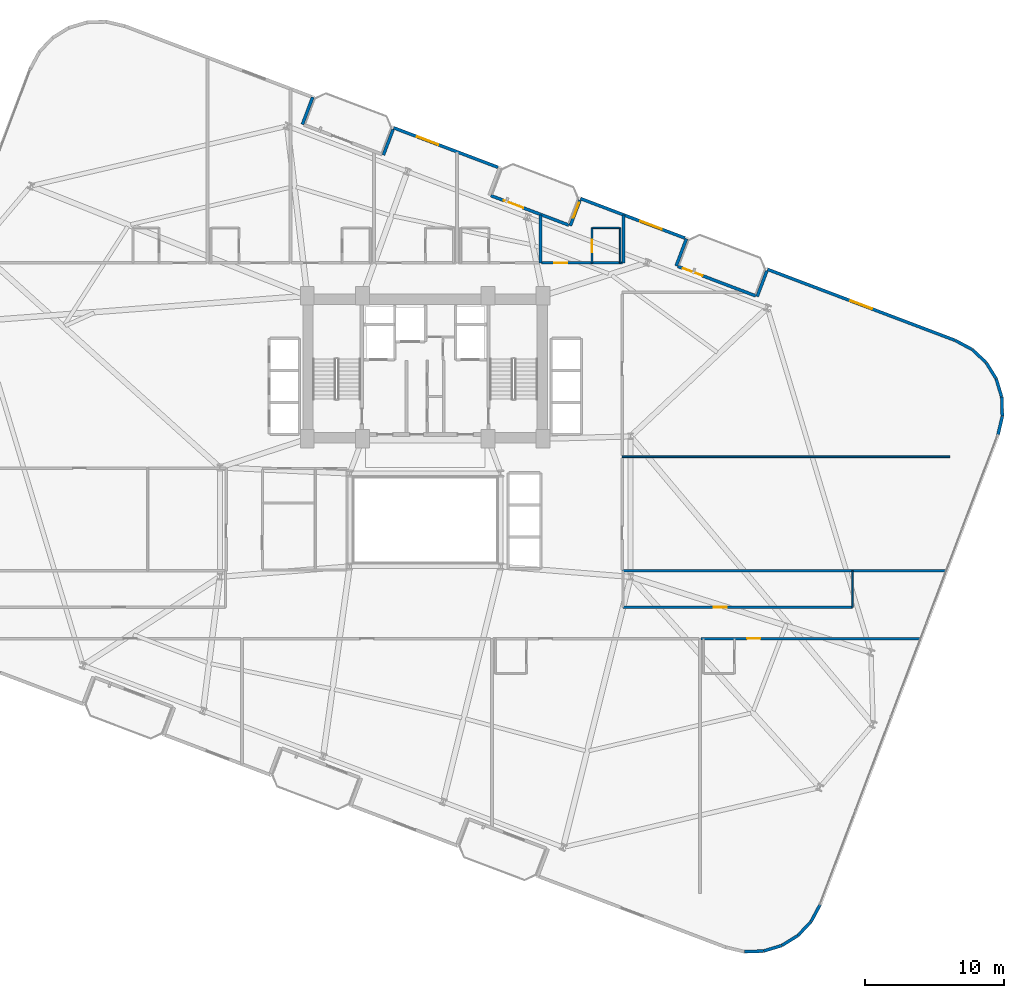
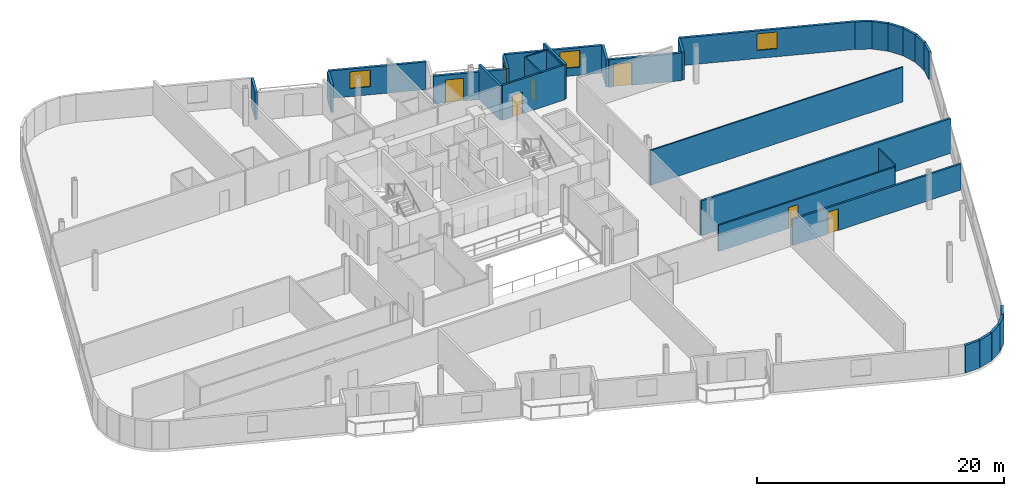
# One storey, part 20 of 24: 32 walls, 6 doors, 4 windows, 10 openings.
"""IFC4 building model written with IfcOpenShell, lengths in metres."""

import ifcopenshell
import ifcopenshell.guid

model = None  # the IFC model being written
_history = None  # IfcOwnerHistory: only IFC2X3 demands one
_inside = {}  # id of a spatial element -> (the spatial element, [elements in it])
_under = {}  # id of a project, library or spatial element -> (it, [spatial elements below it])
_declared = {}  # id of a project -> (the project, [libraries it declares])
_typed = {}  # id of a type object -> (the type object, [elements of that type])
_made_of = {}  # id of a material, layer set ... -> (it, [elements and type objects made of it])


def new_model(schema):
    """Start an empty IFC model of exactly this schema.

    Asked for "IFC4X3", IfcOpenShell would pick the latest addendum, in which some entities
    have other attributes; the version numbers below select the first issue.
    IFC2X3 requires an IfcOwnerHistory on every rooted entity: one is made here for all.
    """
    global model, _history
    if schema == "IFC4X3":
        model = ifcopenshell.file(schema_version=(4, 3, 0, 0))
    else:
        model = ifcopenshell.file(schema=schema)
    _inside.clear()
    _under.clear()
    _declared.clear()
    _typed.clear()
    _made_of.clear()
    _history = None
    if model.schema == "IFC2X3":
        org = make("IfcOrganization", Name="unknown")
        user = make(
            "IfcPersonAndOrganization",
            ThePerson=make("IfcPerson", FamilyName="unknown"),
            TheOrganization=org,
        )
        app = make(
            "IfcApplication",
            ApplicationDeveloper=org,
            Version="unknown",
            ApplicationFullName="unknown",
            ApplicationIdentifier="unknown",
        )
        _history = make(
            "IfcOwnerHistory",
            OwningUser=user,
            OwningApplication=app,
            ChangeAction="ADDED",
            CreationDate=0,
        )
    return model


def make(cls, **values):
    """One entity of the class cls with the attributes given. An attribute that is None is left unset."""
    return model.create_entity(
        cls, **{name: value for name, value in values.items() if value is not None}
    )


def rooted(cls, **values):
    """An entity with a GlobalId (a new one), such as an element, a storey or a relation."""
    return make(cls, GlobalId=ifcopenshell.guid.new(), OwnerHistory=_history, **values)


def si_unit(unit_type, name, prefix=None):
    """IfcSIUnit, for example si_unit("LENGTHUNIT", "METRE", prefix="MILLI")."""
    return make("IfcSIUnit", UnitType=unit_type, Prefix=prefix, Name=name)


def assignment(units):
    """IfcUnitAssignment: the units of a project."""
    return None if units is None else make("IfcUnitAssignment", Units=units)


def point(xyz):
    """IfcCartesianPoint."""
    return None if xyz is None else make("IfcCartesianPoint", Coordinates=xyz)


def direction(xyz):
    """IfcDirection."""
    return None if xyz is None else make("IfcDirection", DirectionRatios=xyz)


def frame(location, z_axis=None, x_axis=None):
    """IfcAxis2Placement3D, a coordinate frame: its origin and axes. An axis left out is left unset."""
    return make(
        "IfcAxis2Placement3D",
        Location=point(location),
        Axis=direction(z_axis),
        RefDirection=direction(x_axis),
    )


def frame_2d(location, x_axis=None):
    """IfcAxis2Placement2D, a coordinate frame in the plane: its origin and x axis."""
    return make(
        "IfcAxis2Placement2D", Location=point(location), RefDirection=direction(x_axis)
    )


def origin():
    """The frame at (0, 0, 0) with its axes left unset."""
    return frame((0.0, 0.0, 0.0))


def place(relative_to, where):
    """IfcLocalPlacement: puts the frame where relative to a parent placement (None: the world)."""
    return make(
        "IfcLocalPlacement", PlacementRelTo=relative_to, RelativePlacement=where
    )


def context(
    kind, dimensions, precision=None, world=None, true_north=None, identifier=None
):
    """IfcGeometricRepresentationContext, for example the 3D "Model" context."""
    return make(
        "IfcGeometricRepresentationContext",
        ContextIdentifier=identifier,
        ContextType=kind,
        CoordinateSpaceDimension=dimensions,
        Precision=precision,
        WorldCoordinateSystem=world,
        TrueNorth=true_north,
    )


def subcontext(parent, identifier, kind, view, scale=None):
    """IfcGeometricRepresentationSubContext, for example "Body" below "Model"."""
    return make(
        "IfcGeometricRepresentationSubContext",
        ContextIdentifier=identifier,
        ContextType=kind,
        ParentContext=parent,
        TargetScale=scale,
        TargetView=view,
    )


def project(units=None, contexts=None):
    """IfcProject with its units and contexts."""
    return rooted(
        "IfcProject",
        Name="project",
        RepresentationContexts=contexts,
        UnitsInContext=assignment(units),
    )


def spatial(cls, under=None, at=None, **own):
    """A site, building, storey or space (cls), placed at a placement, below another one or the project."""
    s = rooted(cls, ObjectPlacement=at, **own)
    if under is not None:
        _under.setdefault(under.id(), (under, []))[1].append(s)
    return s


def profile(cls, at=None, kind="AREA", **sizes):
    """A parametric profile (cls). Its sizes go by their IFC names, for example OverallWidth=200.0."""
    return make(cls, ProfileType=kind, Position=at, **sizes)


def rectangle(**sizes):
    """IfcRectangleProfileDef."""
    return profile("IfcRectangleProfileDef", **sizes)


def extrude(swept, where, along, depth):
    """IfcExtrudedAreaSolid: the profile swept, set in the frame where, extruded along a direction by depth."""
    return make(
        "IfcExtrudedAreaSolid",
        SweptArea=swept,
        Position=where,
        ExtrudedDirection=direction(along),
        Depth=depth,
    )


def shape(context_of_items, identifier, shape_type, items):
    """IfcShapeRepresentation: the items that make up one representation, for example the "Body"."""
    return make(
        "IfcShapeRepresentation",
        ContextOfItems=context_of_items,
        RepresentationIdentifier=identifier,
        RepresentationType=shape_type,
        Items=items,
    )


def material(Name=None, Category=None):
    """IfcMaterial."""
    return make("IfcMaterial", Name=Name, Category=Category)


def layer(
    of_material, thickness, ventilated=None, Name=None, Category=None, Priority=None
):
    """IfcMaterialLayer: one layer of a wall or slab, of a material (None: an air gap)."""
    return make(
        "IfcMaterialLayer",
        Material=of_material,
        LayerThickness=thickness,
        IsVentilated=ventilated,
        Name=Name,
        Category=Category,
        Priority=Priority,
    )


def layer_set(layers, Name=None):
    """IfcMaterialLayerSet."""
    return make("IfcMaterialLayerSet", MaterialLayers=layers, LayerSetName=Name)


def made_of(thing, what):
    """Note that an element or type object is made of a material, layer set ...; save() writes the relation."""
    if what is not None:
        _made_of.setdefault(what.id(), (what, []))[1].append(thing)
    return thing


def type_object(cls, material=None, **own):
    """A type object (cls), such as IfcWallType, which elements share."""
    return made_of(rooted(cls, **own), material)


def element(
    cls,
    number,
    at=None,
    inside=None,
    cuts=None,
    type_object=None,
    material=None,
    context=None,
    identifier="Body",
    shape_type=None,
    held_by="IfcProductDefinitionShape",
    body=None,
    shapes=None,
    **own,
):
    """One element of the class cls, such as IfcWall. Its Tag is "e" and its number.

    at: its placement. inside: the storey or other place that contains it. cuts: it is an
    opening in that element (IfcRelVoidsElement). A single representation is given by context,
    identifier, shape_type and body (its items); several are given by shapes. held_by: the class
    of the entity that holds the representations. save() writes the other relations.
    """
    e = rooted(cls, Tag="e%d" % number, ObjectPlacement=at, **own)
    if body is not None:
        shapes = [shape(context, identifier, shape_type, body)]
    if shapes is not None:
        e.Representation = make(held_by, Representations=shapes)
    if inside is not None:
        _inside.setdefault(inside.id(), (inside, []))[1].append(e)
    if cuts is not None:
        rooted(
            "IfcRelVoidsElement", RelatingBuildingElement=cuts, RelatedOpeningElement=e
        )
    if type_object is not None:
        _typed.setdefault(type_object.id(), (type_object, []))[1].append(e)
    return made_of(e, material)


def fill(opening, filler):
    """IfcRelFillsElement: the door or window that sits in an opening."""
    return rooted(
        "IfcRelFillsElement",
        RelatingOpeningElement=opening,
        RelatedBuildingElement=filler,
    )


def aggregate(whole, parts):
    """IfcRelAggregates: a whole, such as a stair, and the parts it consists of."""
    return rooted("IfcRelAggregates", RelatingObject=whole, RelatedObjects=parts)


def save(model, path):
    """Write the relations noted so far, then the file.

    IfcRelAggregates (storeys below a building ...), IfcRelContainedInSpatialStructure (elements
    in a storey), IfcRelDefinesByType, IfcRelAssociatesMaterial and IfcRelDeclares: one each for
    every whole, place, type object, material and project.
    """
    for whole, parts in _under.values():
        aggregate(whole, parts)
    for where, things in _inside.values():
        rooted(
            "IfcRelContainedInSpatialStructure",
            RelatedElements=things,
            RelatingStructure=where,
        )
    for kind, things in _typed.values():
        rooted("IfcRelDefinesByType", RelatedObjects=things, RelatingType=kind)
    for what, things in _made_of.values():
        rooted("IfcRelAssociatesMaterial", RelatedObjects=things, RelatingMaterial=what)
    for by, libraries in _declared.values():
        rooted("IfcRelDeclares", RelatingContext=by, RelatedDefinitions=libraries)
    model.write(path)


model = new_model("IFC4")

# Units and contexts
model_context = context("Model", 3, precision=1e-05, world=origin(), true_north=direction((0.0, 1.0)))
body_context = subcontext(model_context, "Body", "Model", "MODEL_VIEW")
ifc_project = project(units=[si_unit("LENGTHUNIT", "METRE"), si_unit("AREAUNIT", "SQUARE_METRE"), si_unit("VOLUMEUNIT", "CUBIC_METRE"), si_unit("PLANEANGLEUNIT", "RADIAN"), si_unit("MASSUNIT", "GRAM", prefix="KILO")], contexts=[model_context])

# Site, building, storey
site_placement = place(None, origin())
site = spatial("IfcSite", under=ifc_project, at=site_placement, CompositionType="ELEMENT")
building_placement = place(site_placement, origin())
building = spatial("IfcBuilding", under=site, at=building_placement, Name="Varnelok Gate Tower", CompositionType="ELEMENT")
storey_placement = place(building_placement, frame((0.0, 0.0, 87.300048828125)))
storey = spatial("IfcBuildingStorey", under=building, at=storey_placement, Name="L21", CompositionType="ELEMENT", Elevation=87.300048828125)

# Wall, opening, door
ifc_material_1 = material(Name="Concrete C45/55", Category="concrete")
ifc_layer_1 = layer(ifc_material_1, 0.219970703125)
ifc_layer_set_1 = layer_set([ifc_layer_1], Name="Concrete C45/55")
wall_type_1 = type_object("IfcWallType", Name="EW-BALC-220", PredefinedType="SOLIDWALL", material=ifc_layer_set_1)
wall_1_placement = place(storey_placement, frame((43.932373046875, 46.273193359375, 0.0), z_axis=(0.0, 0.0, 1.0), x_axis=(0.93521416643, -0.354082565101, 0.0)))
wall_1 = element("IfcWall", 1, at=wall_1_placement, inside=storey, type_object=wall_type_1, Name="L21 North Terrace Envelope Wall 5", PredefinedType="SOLIDWALL", context=body_context, shape_type="SweptSolid", body=[
    extrude(rectangle(XDim=6.0, YDim=0.219970703125, at=frame_2d((3.0, 0.0))), origin(), (0.0, 0.0, 1.0), 2.72998046875),
])
opening_1_placement = place(wall_1_placement, frame((0.991943359375, 0.0, 0.0)))
opening_1 = element("IfcOpeningElement", 2, at=opening_1_placement, cuts=wall_1, Name="Opening BD-1", PredefinedType="OPENING", context=body_context, shape_type="SweptSolid", body=[
    extrude(rectangle(XDim=1.5, YDim=2.25, at=frame_2d((0.75, 1.125))), frame((0.0, 0.119873046875, 0.0), z_axis=(0.0, -1.0, 0.0), x_axis=(1.0, 0.0, 0.0)), (0.0, 0.0, 1.0), 0.239990234375),
])
ifc_material_2 = material(Name="Anodized Aluminum Alloy 6063-T6", Category="aluminium")
door_type_1 = type_object("IfcDoorType", Name="DR-EXT-BALC1500", OperationType="NOTDEFINED", PredefinedType="DOOR", material=ifc_material_2)
door_1_placement = place(opening_1_placement, origin())
door_1 = element("IfcDoor", 3, at=door_1_placement, inside=storey, type_object=door_type_1, Name="L21 North Balcony Glazed Door 5", OperationType="SINGLE_SWING_RIGHT", OverallHeight=2.25, OverallWidth=1.5, PredefinedType="DOOR", context=body_context, shape_type="SweptSolid", body=[
    extrude(rectangle(XDim=1.5, YDim=2.25, at=frame_2d((0.75, 1.125))), frame((0.0, 0.02490234375, 0.0), z_axis=(0.0, -1.0, 0.0), x_axis=(1.0, 0.0, 0.0)), (0.0, 0.0, 1.0), 0.050048828125),
])
fill(opening_1, door_1)

wall_2_placement = place(storey_placement, frame((57.3994140625, 41.174560546875, 0.0), z_axis=(0.0, 0.0, 1.0), x_axis=(0.935227640088, -0.354046976001, 0.0)))
wall_2 = element("IfcWall", 4, at=wall_2_placement, inside=storey, type_object=wall_type_1, Name="L21 North Terrace Envelope Wall 6", PredefinedType="SOLIDWALL", context=body_context, shape_type="SweptSolid", body=[
    extrude(rectangle(XDim=6.0, YDim=0.219970703125, at=frame_2d((3.0, 0.0))), origin(), (0.0, 0.0, 1.0), 2.72998046875),
])
opening_2_placement = place(wall_2_placement, frame((0.39990234375, 0.0, 0.0)))
opening_2 = element("IfcOpeningElement", 5, at=opening_2_placement, cuts=wall_2, Name="Opening BD-1", PredefinedType="OPENING", context=body_context, shape_type="SweptSolid", body=[
    extrude(rectangle(XDim=1.5, YDim=2.25, at=frame_2d((0.75, 1.125))), frame((0.0, 0.119873046875, 0.0), z_axis=(0.0, -1.0, 0.0), x_axis=(1.0, 0.0, 0.0)), (0.0, 0.0, 1.0), 0.239990234375),
])
door_2_placement = place(opening_2_placement, origin())
door_2 = element("IfcDoor", 6, at=door_2_placement, inside=storey, type_object=door_type_1, Name="L21 North Balcony Glazed Door 6", OperationType="SINGLE_SWING_LEFT", OverallHeight=2.25, OverallWidth=1.5, PredefinedType="DOOR", context=body_context, shape_type="SweptSolid", body=[
    extrude(rectangle(XDim=1.5, YDim=2.25, at=frame_2d((0.75, 1.125))), frame((0.0, 0.02490234375, 0.0), z_axis=(0.0, -1.0, 0.0), x_axis=(1.0, 0.0, 0.0)), (0.0, 0.0, 1.0), 0.050048828125),
])
fill(opening_2, door_2)

# Walls
wall_3_placement = place(storey_placement, frame((62.2158203125, -8.209228515625, 0.0), z_axis=(0.0, 0.0, 1.0), x_axis=(0.999523971993, 0.03085173271, 0.0)))
element("IfcWall", 7, at=wall_3_placement, inside=storey, type_object=wall_type_1, Name="L21 Perimeter Facade Closure Wall 18", PredefinedType="SOLIDWALL", context=body_context, shape_type="SweptSolid", body=[
    extrude(rectangle(XDim=1.353271484375, YDim=0.219970703125, at=frame_2d((0.6767578125, 0.0))), origin(), (0.0, 0.0, 1.0), 2.72998046875),
])
for number, where, z_axis, x_axis, name in (
    (8, (63.59228515625, -8.160400390625, 0.0), (0.0, 0.0, 1.0), (0.957532798303, 0.28832436625, 0.0), "L21 Perimeter Facade Closure Wall 19"),
    (9, (64.9091796875, -7.757080078125, 0.0), (0.0, 0.0, 1.0), (0.850180541217, 0.526491260456, 0.0), "L21 Perimeter Facade Closure Wall 20"),
):
    element("IfcWall", number, at=place(storey_placement, frame(where, z_axis=z_axis, x_axis=x_axis)), inside=storey, type_object=wall_type_1, Name=name, PredefinedType="SOLIDWALL", context=body_context, shape_type="SweptSolid", body=[
        extrude(rectangle(XDim=1.35302734375, YDim=0.219970703125, at=frame_2d((0.676513671875, 0.0))), origin(), (0.0, 0.0, 1.0), 2.72998046875),
    ])
wall_4_placement = place(storey_placement, frame((66.07666015625, -7.026611328125, 0.0), z_axis=(0.0, 0.0, 1.0), x_axis=(0.685032599484, 0.7285124142, 0.0)))
element("IfcWall", 10, at=wall_4_placement, inside=storey, type_object=wall_type_1, Name="L21 Perimeter Facade Closure Wall 21", PredefinedType="SOLIDWALL", context=body_context, shape_type="SweptSolid", body=[
    extrude(rectangle(XDim=1.353271484375, YDim=0.219970703125, at=frame_2d((0.6767578125, 0.0))), origin(), (0.0, 0.0, 1.0), 2.72998046875),
])
wall_5_placement = place(storey_placement, frame((67.015380859375, -6.018798828125, 0.0), z_axis=(0.0, 0.0, 1.0), x_axis=(0.473077364598, 0.881020889142, 0.0)))
element("IfcWall", 11, at=wall_5_placement, inside=storey, type_object=wall_type_1, Name="L21 Perimeter Facade Closure Wall 22", PredefinedType="SOLIDWALL", context=body_context, shape_type="SweptSolid", body=[
    extrude(rectangle(XDim=1.35302734375, YDim=0.219970703125, at=frame_2d((0.676513671875, 0.0))), origin(), (0.0, 0.0, 1.0), 2.72998046875),
])
wall_6_placement = place(storey_placement, frame((80.47265625, 29.0283203125, 0.0), z_axis=(0.0, 0.0, 1.0), x_axis=(0.228881345311, 0.973454328548, 0.0)))
element("IfcWall", 12, at=wall_6_placement, inside=storey, type_object=wall_type_1, Name="L21 Perimeter Facade Closure Wall 23", PredefinedType="SOLIDWALL", context=body_context, shape_type="SweptSolid", body=[
    extrude(rectangle(XDim=1.378173828125, YDim=0.219970703125, at=frame_2d((0.68896484375, 0.0))), origin(), (0.0, 0.0, 1.0), 2.72998046875),
])
for number, where, z_axis, x_axis, name in (
    (13, (80.787353515625, 30.39501953125, 0.0), (0.0, 0.0, 1.0), (-0.030857297317, 0.999523800218, 0.0), "L21 Perimeter Facade Closure Wall 24"),
    (14, (80.738525390625, 31.771240234375, 0.0), (0.0, 0.0, 1.0), (-0.28832436625, 0.957532798303, 0.0), "L21 Perimeter Facade Closure Wall 25"),
    (15, (80.335205078125, 33.088134765625, 0.0), (0.0, 0.0, 1.0), (-0.526491260456, 0.850180541217, 0.0), "L21 Perimeter Facade Closure Wall 26"),
    (16, (79.6044921875, 34.255615234375, 0.0), (0.0, 0.0, 1.0), (-0.72842773461, 0.685122642634, 0.0), "L21 Perimeter Facade Closure Wall 27"),
):
    element("IfcWall", number, at=place(storey_placement, frame(where, z_axis=z_axis, x_axis=x_axis)), inside=storey, type_object=wall_type_1, Name=name, PredefinedType="SOLIDWALL", context=body_context, shape_type="SweptSolid", body=[
        extrude(rectangle(XDim=1.35302734375, YDim=0.219970703125, at=frame_2d((0.676513671875, 0.0))), origin(), (0.0, 0.0, 1.0), 2.72998046875),
    ])
wall_7_placement = place(storey_placement, frame((78.5966796875, 35.1943359375, 0.0), z_axis=(0.0, 0.0, 1.0), x_axis=(-0.880948732004, 0.473211719614, 0.0)))
element("IfcWall", 17, at=wall_7_placement, inside=storey, type_object=wall_type_1, Name="L21 Perimeter Facade Closure Wall 28", PredefinedType="SOLIDWALL", context=body_context, shape_type="SweptSolid", body=[
    extrude(rectangle(XDim=1.361083984375, YDim=0.219970703125, at=frame_2d((0.6806640625, 0.0))), origin(), (0.0, 0.0, 1.0), 2.72998046875),
])

# Wall, opening, window
wall_8_placement = place(storey_placement, frame((77.37451171875, 35.84716796875, 0.0), z_axis=(0.0, 0.0, 1.0), x_axis=(-0.935222448475, 0.354060689526, 0.0)))
wall_8 = element("IfcWall", 18, at=wall_8_placement, inside=storey, type_object=wall_type_1, Name="L21 Perimeter Facade Closure Wall 29", PredefinedType="SOLIDWALL", context=body_context, shape_type="SweptSolid", body=[
    extrude(rectangle(XDim=14.447265625, YDim=0.219970703125, at=frame_2d((7.2236328125, 0.0))), origin(), (0.0, 0.0, 1.0), 2.72998046875),
])
opening_3_placement = place(wall_8_placement, frame((6.398681640625, 0.0, 0.800048828125)))
opening_3 = element("IfcOpeningElement", 19, at=opening_3_placement, cuts=wall_8, Name="Opening WN3", PredefinedType="OPENING", context=body_context, shape_type="SweptSolid", body=[
    extrude(rectangle(XDim=1.64990234375, YDim=1.64990234375, at=frame_2d((0.824951171875, 0.824951171875))), frame((0.0, 0.119873046875, 0.0), z_axis=(0.0, -1.0, 0.0), x_axis=(1.0, 0.0, 0.0)), (0.0, 0.0, 1.0), 0.239990234375),
])
ifc_material_3 = material(Name="Low-E Laminated Double Glazing IGU", Category="glass")
window_type_1 = type_object("IfcWindowType", Name="WN-HTL-1650", PartitioningType="SINGLE_PANEL", PredefinedType="WINDOW", material=ifc_material_3)
window_1_placement = place(opening_3_placement, origin())
window_1 = element("IfcWindow", 20, at=window_1_placement, inside=storey, type_object=window_type_1, Name="L21 Perimeter Vision Window 29", OverallHeight=1.64990234375, OverallWidth=1.64990234375, PartitioningType="SINGLE_PANEL", PredefinedType="WINDOW", context=body_context, shape_type="SweptSolid", body=[
    extrude(rectangle(XDim=1.64990234375, YDim=1.64990234375, at=frame_2d((0.824951171875, 0.824951171875))), frame((0.0, 0.030029296875, 0.0), z_axis=(0.0, -1.0, 0.0), x_axis=(1.0, 0.0, 0.0)), (0.0, 0.0, 1.0), 0.06005859375),
])
fill(opening_3, window_1)

# Walls
wall_9_placement = place(storey_placement, frame((63.81884765625, 40.845458984375, 0.0), z_axis=(0.0, 0.0, 1.0), x_axis=(-0.354128791944, -0.935196663123, 0.0)))
element("IfcWall", 21, at=wall_9_placement, inside=storey, type_object=wall_type_1, Name="L21 Perimeter Facade Closure Wall 30", PredefinedType="SOLIDWALL", context=body_context, shape_type="SweptSolid", body=[
    extrude(rectangle(XDim=1.97509765625, YDim=0.219970703125, at=frame_2d((0.987548828125, 0.0))), origin(), (0.0, 0.0, 1.0), 2.72998046875),
])
wall_10_placement = place(storey_placement, frame((57.28369140625, 41.207763671875, 0.0), z_axis=(0.0, 0.0, 1.0), x_axis=(0.354128469405, 0.935196785258, 0.0)))
element("IfcWall", 22, at=wall_10_placement, inside=storey, type_object=wall_type_1, Name="L21 Perimeter Facade Closure Wall 31", PredefinedType="SOLIDWALL", context=body_context, shape_type="SweptSolid", body=[
    extrude(rectangle(XDim=2.099853515625, YDim=0.219970703125, at=frame_2d((1.0498046875, 0.0))), origin(), (0.0, 0.0, 1.0), 2.72998046875),
])

# Wall, opening, window
wall_11_placement = place(storey_placement, frame((57.910400390625, 43.2158203125, 0.0), z_axis=(0.0, 0.0, 1.0), x_axis=(-0.935220736163, 0.354065212427, 0.0)))
wall_11 = element("IfcWall", 23, at=wall_11_placement, inside=storey, type_object=wall_type_1, Name="L21 Perimeter Facade Closure Wall 32", PredefinedType="SOLIDWALL", context=body_context, shape_type="SweptSolid", body=[
    extrude(rectangle(XDim=8.03515625, YDim=0.219970703125, at=frame_2d((4.017578125, 0.0))), origin(), (0.0, 0.0, 1.0), 2.72998046875),
])
opening_4_placement = place(wall_11_placement, frame((1.787841796875, 0.0, 0.800048828125)))
opening_4 = element("IfcOpeningElement", 24, at=opening_4_placement, cuts=wall_11, Name="Opening WN3", PredefinedType="OPENING", context=body_context, shape_type="SweptSolid", body=[
    extrude(rectangle(XDim=1.64990234375, YDim=1.64990234375, at=frame_2d((0.824951171875, 0.824951171875))), frame((0.0, 0.119873046875, 0.0), z_axis=(0.0, -1.0, 0.0), x_axis=(1.0, 0.0, 0.0)), (0.0, 0.0, 1.0), 0.239990234375),
])
window_2_placement = place(opening_4_placement, origin())
window_2 = element("IfcWindow", 25, at=window_2_placement, inside=storey, type_object=window_type_1, Name="L21 Perimeter Vision Window 32", OverallHeight=1.64990234375, OverallWidth=1.64990234375, PartitioningType="SINGLE_PANEL", PredefinedType="WINDOW", context=body_context, shape_type="SweptSolid", body=[
    extrude(rectangle(XDim=1.64990234375, YDim=1.64990234375, at=frame_2d((0.824951171875, 0.824951171875))), frame((0.0, 0.030029296875, 0.0), z_axis=(0.0, -1.0, 0.0), x_axis=(1.0, 0.0, 0.0)), (0.0, 0.0, 1.0), 0.06005859375),
])
fill(opening_4, window_2)

wall_12_placement = place(storey_placement, frame((50.3515625, 45.94384765625, 0.0), z_axis=(0.0, 0.0, 1.0), x_axis=(-0.354061611705, -0.935222099352, 0.0)))
wall_12 = element("IfcWall", 26, at=wall_12_placement, inside=storey, type_object=wall_type_1, Name="L21 Perimeter Facade Closure Wall 33", PredefinedType="SOLIDWALL", context=body_context, shape_type="SweptSolid", body=[
    extrude(rectangle(XDim=1.974853515625, YDim=0.219970703125, at=frame_2d((0.9873046875, 0.0))), origin(), (0.0, 0.0, 1.0), 2.72998046875),
])
opening_5_placement = place(wall_12_placement, frame((0.199951171875, 0.0, 0.800048828125)))
opening_5 = element("IfcOpeningElement", 27, at=opening_5_placement, cuts=wall_12, Name="Opening WN8", PredefinedType="OPENING", context=body_context, shape_type="SweptSolid", body=[
    extrude(rectangle(XDim=1.14990234375, YDim=1.39990234375, at=frame_2d((0.574951171875, 0.699951171875))), frame((0.0, 0.119873046875, 0.0), z_axis=(0.0, -1.0, 0.0), x_axis=(1.0, 0.0, 0.0)), (0.0, 0.0, 1.0), 0.239990234375),
])
window_type_2 = type_object("IfcWindowType", Name="WN-BED-1150", PartitioningType="SINGLE_PANEL", PredefinedType="WINDOW", material=ifc_material_3)
window_3_placement = place(opening_5_placement, origin())
window_3 = element("IfcWindow", 28, at=window_3_placement, inside=storey, type_object=window_type_2, Name="L21 Bedroom Vision Window 7", OverallHeight=1.39990234375, OverallWidth=1.14990234375, PartitioningType="SINGLE_PANEL", PredefinedType="WINDOW", context=body_context, shape_type="SweptSolid", body=[
    extrude(rectangle(XDim=1.14990234375, YDim=1.39990234375, at=frame_2d((0.574951171875, 0.699951171875))), frame((0.0, 0.030029296875, 0.0), z_axis=(0.0, -1.0, 0.0), x_axis=(1.0, 0.0, 0.0)), (0.0, 0.0, 1.0), 0.06005859375),
])
fill(opening_5, window_3)

wall_13_placement = place(storey_placement, frame((44.443115234375, 48.314453125, 0.0), z_axis=(0.0, 0.0, 1.0), x_axis=(-0.935226988293, 0.354048697735, 0.0)))
wall_13 = element("IfcWall", 29, at=wall_13_placement, inside=storey, type_object=wall_type_1, Name="L21 Perimeter Facade Closure Wall 35", PredefinedType="SOLIDWALL", context=body_context, shape_type="SweptSolid", body=[
    extrude(rectangle(XDim=8.034912109375, YDim=0.219970703125, at=frame_2d((4.017578125, 0.0))), origin(), (0.0, 0.0, 1.0), 2.72998046875),
])
opening_6_placement = place(wall_13_placement, frame((4.59716796875, 0.0, 0.800048828125)))
opening_6 = element("IfcOpeningElement", 30, at=opening_6_placement, cuts=wall_13, Name="Opening WN3", PredefinedType="OPENING", context=body_context, shape_type="SweptSolid", body=[
    extrude(rectangle(XDim=1.64990234375, YDim=1.64990234375, at=frame_2d((0.824951171875, 0.824951171875))), frame((0.0, 0.119873046875, 0.0), z_axis=(0.0, -1.0, 0.0), x_axis=(1.0, 0.0, 0.0)), (0.0, 0.0, 1.0), 0.239990234375),
])
window_4_placement = place(opening_6_placement, origin())
window_4 = element("IfcWindow", 31, at=window_4_placement, inside=storey, type_object=window_type_1, Name="L21 Perimeter Vision Window 35", OverallHeight=1.64990234375, OverallWidth=1.64990234375, PartitioningType="SINGLE_PANEL", PredefinedType="WINDOW", context=body_context, shape_type="SweptSolid", body=[
    extrude(rectangle(XDim=1.64990234375, YDim=1.64990234375, at=frame_2d((0.824951171875, 0.824951171875))), frame((0.0, 0.030029296875, 0.0), z_axis=(0.0, -1.0, 0.0), x_axis=(1.0, 0.0, 0.0)), (0.0, 0.0, 1.0), 0.06005859375),
])
fill(opening_6, window_4)

# Walls
wall_14_placement = place(storey_placement, frame((36.884521484375, 51.04248046875, 0.0), z_axis=(0.0, 0.0, 1.0), x_axis=(-0.354128791944, -0.935196663123, 0.0)))
element("IfcWall", 32, at=wall_14_placement, inside=storey, type_object=wall_type_1, Name="L21 Perimeter Facade Closure Wall 36", PredefinedType="SOLIDWALL", context=body_context, shape_type="SweptSolid", body=[
    extrude(rectangle(XDim=1.97509765625, YDim=0.219970703125, at=frame_2d((0.987548828125, 0.0))), origin(), (0.0, 0.0, 1.0), 2.72998046875),
])
wall_15_placement = place(storey_placement, frame((30.349365234375, 51.40478515625, 0.0), z_axis=(0.0, 0.0, 1.0), x_axis=(0.354128469405, 0.935196785258, 0.0)))
element("IfcWall", 33, at=wall_15_placement, inside=storey, type_object=wall_type_1, Name="L21 Perimeter Facade Closure Wall 37", PredefinedType="SOLIDWALL", context=body_context, shape_type="SweptSolid", body=[
    extrude(rectangle(XDim=2.099853515625, YDim=0.219970703125, at=frame_2d((1.0498046875, 0.0))), origin(), (0.0, 0.0, 1.0), 2.72998046875),
])

# Wall, opening, door
ifc_material_4 = material(Name="Gypsum Plasterboard Acoustic Partition", Category="gypsum")
ifc_layer_2 = layer(ifc_material_4, 0.179931640625)
ifc_layer_set_2 = layer_set([ifc_layer_2], Name="Gypsum Plasterboard Acoustic Partition")
wall_type_2 = type_object("IfcWallType", Name="PW-CORR-180", PredefinedType="PARTITIONING", material=ifc_layer_set_2)
wall_16_placement = place(storey_placement, frame((59.080078125, 14.35009765625, 0.0), z_axis=(0.0, 0.0, 1.0), x_axis=(1.0, 0.0, 0.0)))
wall_16 = element("IfcWall", 34, at=wall_16_placement, inside=storey, type_object=wall_type_2, Name="Interior Partition", PredefinedType="PARTITIONING", context=body_context, shape_type="SweptSolid", body=[
    extrude(rectangle(XDim=15.775146484375, YDim=0.179931640625, at=frame_2d((7.8876953125, 0.0))), origin(), (0.0, 0.0, 1.0), 2.579833984375),
])
opening_7_placement = place(wall_16_placement, frame((3.324462890625, 0.0, 0.0)))
opening_7 = element("IfcOpeningElement", 35, at=opening_7_placement, cuts=wall_16, Name="Opening D-HT", PredefinedType="OPENING", context=body_context, shape_type="SweptSolid", body=[
    extrude(rectangle(XDim=0.949951171875, YDim=2.14990234375, at=frame_2d((0.47509765625, 1.074951171875))), frame((0.0, 0.099853515625, 0.0), z_axis=(0.0, -1.0, 0.0), x_axis=(1.0, 0.0, 0.0)), (0.0, 0.0, 1.0), 0.199951171875),
])
ifc_material_5 = material(Name="Engineered Hardwood Timber", Category="wood")
door_type_2 = type_object("IfcDoorType", Name="DR-HTL-950", OperationType="NOTDEFINED", PredefinedType="DOOR", material=ifc_material_5)
door_3_placement = place(opening_7_placement, origin())
door_3 = element("IfcDoor", 36, at=door_3_placement, inside=storey, type_object=door_type_2, Name="L21 Guest Room 04 Entrance Door", OperationType="SINGLE_SWING_LEFT", OverallHeight=2.14990234375, OverallWidth=0.949951171875, PredefinedType="DOOR", context=body_context, shape_type="SweptSolid", body=[
    extrude(rectangle(XDim=0.949951171875, YDim=2.14990234375, at=frame_2d((0.47509765625, 1.074951171875))), frame((0.0, 0.02490234375, 0.0), z_axis=(0.0, -1.0, 0.0), x_axis=(1.0, 0.0, 0.0)), (0.0, 0.0, 1.0), 0.050048828125),
])
fill(opening_7, door_3)

wall_17_placement = place(storey_placement, frame((47.580078125, 41.429931640625, 0.0), z_axis=(0.0, 0.0, 1.0), x_axis=(1.0, 0.0, 0.0)))
wall_17 = element("IfcWall", 37, at=wall_17_placement, inside=storey, type_object=wall_type_2, Name="Interior Partition", PredefinedType="PARTITIONING", context=body_context, shape_type="SweptSolid", body=[
    extrude(rectangle(XDim=5.83984375, YDim=0.179931640625, at=frame_2d((2.919921875, 0.0))), origin(), (0.0, 0.0, 1.0), 3.449951171875),
])
opening_8_placement = place(wall_17_placement, frame((0.917236328125, 0.0, 0.0)))
opening_8 = element("IfcOpeningElement", 38, at=opening_8_placement, cuts=wall_17, Name="Opening D-HT", PredefinedType="OPENING", context=body_context, shape_type="SweptSolid", body=[
    extrude(rectangle(XDim=0.949951171875, YDim=2.14990234375, at=frame_2d((0.47509765625, 1.074951171875))), frame((0.0, 0.099853515625, 0.0), z_axis=(0.0, -1.0, 0.0), x_axis=(1.0, 0.0, 0.0)), (0.0, 0.0, 1.0), 0.199951171875),
])
door_4_placement = place(opening_8_placement, origin())
door_4 = element("IfcDoor", 39, at=door_4_placement, inside=storey, type_object=door_type_2, Name="L21 Guest Room 10 Entrance Door", OperationType="SINGLE_SWING_LEFT", OverallHeight=2.14990234375, OverallWidth=0.949951171875, PredefinedType="DOOR", context=body_context, shape_type="SweptSolid", body=[
    extrude(rectangle(XDim=0.949951171875, YDim=2.14990234375, at=frame_2d((0.47509765625, 1.074951171875))), frame((0.0, 0.02490234375, 0.0), z_axis=(0.0, -1.0, 0.0), x_axis=(1.0, 0.0, 0.0)), (0.0, 0.0, 1.0), 0.050048828125),
])
fill(opening_8, door_4)

# Walls
wall_18_placement = place(storey_placement, frame((53.389892578125, 19.239990234375, 0.0), z_axis=(0.0, 0.0, 1.0), x_axis=(1.0, 0.0, 0.0)))
element("IfcWall", 40, at=wall_18_placement, inside=storey, type_object=wall_type_2, Name="Interior Partition", PredefinedType="PARTITIONING", context=body_context, shape_type="SweptSolid", body=[
    extrude(rectangle(XDim=23.316650390625, YDim=0.179931640625, at=frame_2d((11.658203125, 0.0))), origin(), (0.0, 0.0, 1.0), 3.449951171875),
])
ifc_layer_3 = layer(ifc_material_4, 0.114990234375)
ifc_layer_set_3 = layer_set([ifc_layer_3], Name="Gypsum Plasterboard Acoustic Partition")
wall_type_3 = type_object("IfcWallType", Name="PW-ENS-125", PredefinedType="PARTITIONING", material=ifc_layer_set_3)
wall_19_placement = place(storey_placement, frame((51.256103515625, 43.949951171875, 0.0), z_axis=(0.0, 0.0, 1.0), x_axis=(1.0, 0.0, 0.0)))
element("IfcWall", 41, at=wall_19_placement, inside=storey, type_object=wall_type_3, Name="Interior Partition", PredefinedType="PARTITIONING", context=body_context, shape_type="SweptSolid", body=[
    extrude(rectangle(XDim=1.94384765625, YDim=0.114990234375, at=frame_2d((0.971923828125, 0.0))), origin(), (0.0, 0.0, 1.0), 3.449951171875),
])

# Wall, opening, door
wall_20_placement = place(storey_placement, frame((51.216064453125, 41.429931640625, 0.0), z_axis=(0.0, 0.0, 1.0), x_axis=(0.0, 1.0, 0.0)))
wall_20 = element("IfcWall", 42, at=wall_20_placement, inside=storey, type_object=wall_type_3, Name="Interior Partition", PredefinedType="PARTITIONING", context=body_context, shape_type="SweptSolid", body=[
    extrude(rectangle(XDim=2.52001953125, YDim=0.114990234375, at=frame_2d((1.260009765625, 0.0))), origin(), (0.0, 0.0, 1.0), 3.449951171875),
])
opening_9_placement = place(wall_20_placement, frame((0.760009765625, 0.0, 0.0)))
opening_9 = element("IfcOpeningElement", 43, at=opening_9_placement, cuts=wall_20, Name="Opening D-WC", PredefinedType="OPENING", context=body_context, shape_type="SweptSolid", body=[
    extrude(rectangle(XDim=0.89990234375, YDim=2.050048828125, at=frame_2d((0.449951171875, 1.02490234375))), frame((0.0, 0.0673828125, 0.0), z_axis=(0.0, -1.0, 0.0), x_axis=(1.0, 0.0, 0.0)), (0.0, 0.0, 1.0), 0.135009765625),
])
door_type_3 = type_object("IfcDoorType", Name="DR-BATH-900", OperationType="NOTDEFINED", PredefinedType="DOOR", material=ifc_material_5)
door_5_placement = place(opening_9_placement, origin())
door_5 = element("IfcDoor", 44, at=door_5_placement, inside=storey, type_object=door_type_3, Name="L21 North En-Suite 10 Door", OperationType="SINGLE_SWING_LEFT", OverallHeight=2.050048828125, OverallWidth=0.89990234375, PredefinedType="DOOR", context=body_context, shape_type="SweptSolid", body=[
    extrude(rectangle(XDim=0.89990234375, YDim=2.050048828125, at=frame_2d((0.449951171875, 1.02490234375))), frame((0.0, 0.02490234375, 0.0), z_axis=(0.0, -1.0, 0.0), x_axis=(1.0, 0.0, 0.0)), (0.0, 0.0, 1.0), 0.050048828125),
])
fill(opening_9, door_5)

# Walls
wall_21_placement = place(storey_placement, frame((53.239990234375, 41.429931640625, 0.0), z_axis=(0.0, 0.0, 1.0), x_axis=(0.0, 1.0, 0.0)))
element("IfcWall", 45, at=wall_21_placement, inside=storey, type_object=wall_type_3, Name="Interior Partition", PredefinedType="PARTITIONING", context=body_context, shape_type="SweptSolid", body=[
    extrude(rectangle(XDim=2.52001953125, YDim=0.114990234375, at=frame_2d((1.260009765625, 0.0))), origin(), (0.0, 0.0, 1.0), 3.449951171875),
])
ifc_layer_4 = layer(ifc_material_4, 0.125)
ifc_layer_set_4 = layer_set([ifc_layer_4], Name="Gypsum Plasterboard Acoustic Partition")
wall_type_4 = type_object("IfcWallType", Name="PW-PART-125", PredefinedType="PARTITIONING", material=ifc_layer_set_4)
wall_22_placement = place(storey_placement, frame((70.0, 16.610107421875, 0.0), z_axis=(0.0, 0.0, 1.0), x_axis=(0.0, 1.0, 0.0)))
element("IfcWall", 46, at=wall_22_placement, inside=storey, type_object=wall_type_4, Name="Interior Partition", PredefinedType="PARTITIONING", context=body_context, shape_type="SweptSolid", body=[
    extrude(rectangle(XDim=2.6298828125, YDim=0.125, at=frame_2d((1.31494140625, 0.0))), origin(), (0.0, 0.0, 1.0), 2.823974609375),
])
wall_23_placement = place(storey_placement, frame((53.389892578125, 27.449951171875, 0.0), z_axis=(0.0, 0.0, 1.0), x_axis=(1.0, 0.0, 0.0)))
element("IfcWall", 47, at=wall_23_placement, inside=storey, type_object=wall_type_4, Name="Interior Partition", PredefinedType="PARTITIONING", context=body_context, shape_type="SweptSolid", body=[
    extrude(rectangle(XDim=23.610107421875, YDim=0.125, at=frame_2d((11.80517578125, 0.0))), origin(), (0.0, 0.0, 1.0), 3.449951171875),
])

# Wall, opening, door
ifc_layer_5 = layer(ifc_material_4, 0.14990234375)
ifc_layer_set_5 = layer_set([ifc_layer_5], Name="Gypsum Plasterboard Acoustic Partition")
wall_type_5 = type_object("IfcWallType", Name="PW-PART-150", PredefinedType="PARTITIONING", material=ifc_layer_set_5)
wall_24_placement = place(storey_placement, frame((53.449951171875, 16.610107421875, 0.0), z_axis=(0.0, 0.0, 1.0), x_axis=(1.0, 0.0, 0.0)))
wall_24 = element("IfcWall", 48, at=wall_24_placement, inside=storey, type_object=wall_type_5, Name="Interior Partition", PredefinedType="PARTITIONING", context=body_context, shape_type="SweptSolid", body=[
    extrude(rectangle(XDim=16.550048828125, YDim=0.14990234375, at=frame_2d((8.27490234375, 0.0))), origin(), (0.0, 0.0, 1.0), 2.579833984375),
])
opening_10_placement = place(wall_24_placement, frame((6.547607421875, 0.0, 0.0)))
opening_10 = element("IfcOpeningElement", 49, at=opening_10_placement, cuts=wall_24, Name="Opening D-I3", PredefinedType="OPENING", context=body_context, shape_type="SweptSolid", body=[
    extrude(rectangle(XDim=0.919921875, YDim=2.050048828125, at=frame_2d((0.4599609375, 1.02490234375))), frame((0.0, 0.0849609375, 0.0), z_axis=(0.0, -1.0, 0.0), x_axis=(1.0, 0.0, 0.0)), (0.0, 0.0, 1.0), 0.169921875),
])
door_type_4 = type_object("IfcDoorType", Name="DR-INT-920", OperationType="NOTDEFINED", PredefinedType="DOOR", material=ifc_material_5)
door_6_placement = place(opening_10_placement, origin())
door_6 = element("IfcDoor", 50, at=door_6_placement, inside=storey, type_object=door_type_4, Name="L21 Atrium Room 2 Door", OperationType="SINGLE_SWING_LEFT", OverallHeight=2.050048828125, OverallWidth=0.919921875, PredefinedType="DOOR", context=body_context, shape_type="SweptSolid", body=[
    extrude(rectangle(XDim=0.919921875, YDim=2.050048828125, at=frame_2d((0.4599609375, 1.02490234375))), frame((0.0, 0.02490234375, 0.0), z_axis=(0.0, -1.0, 0.0), x_axis=(1.0, 0.0, 0.0)), (0.0, 0.0, 1.0), 0.050048828125),
])
fill(opening_10, door_6)

# Walls
ifc_layer_6 = layer(ifc_material_4, 0.205078125)
ifc_layer_set_6 = layer_set([ifc_layer_6], Name="Gypsum Plasterboard Acoustic Partition")
wall_type_6 = type_object("IfcWallType", Name="PW-PARTY-200", PredefinedType="PARTITIONING", material=ifc_layer_set_6)
wall_25_placement = place(storey_placement, frame((47.5, 41.429931640625, 0.0), z_axis=(0.0, 0.0, 1.0), x_axis=(0.0, 1.0, 0.0)))
element("IfcWall", 51, at=wall_25_placement, inside=storey, type_object=wall_type_6, Name="L21 North Party Wall 5", PredefinedType="PARTITIONING", context=body_context, shape_type="SweptSolid", body=[
    extrude(rectangle(XDim=3.46044921875, YDim=0.205078125, at=frame_2d((1.730224609375, 0.0))), origin(), (0.0, 0.0, 1.0), 3.449951171875),
])
wall_26_placement = place(storey_placement, frame((53.5, 41.429931640625, 0.0), z_axis=(0.0, 0.0, 1.0), x_axis=(0.0, 1.0, 0.0)))
element("IfcWall", 52, at=wall_26_placement, inside=storey, type_object=wall_type_6, Name="L21 North Party Wall 6", PredefinedType="PARTITIONING", context=body_context, shape_type="SweptSolid", body=[
    extrude(rectangle(XDim=3.434326171875, YDim=0.205078125, at=frame_2d((1.71728515625, 0.0))), origin(), (0.0, 0.0, 1.0), 3.449951171875),
])

save(model, "model.ifc")
